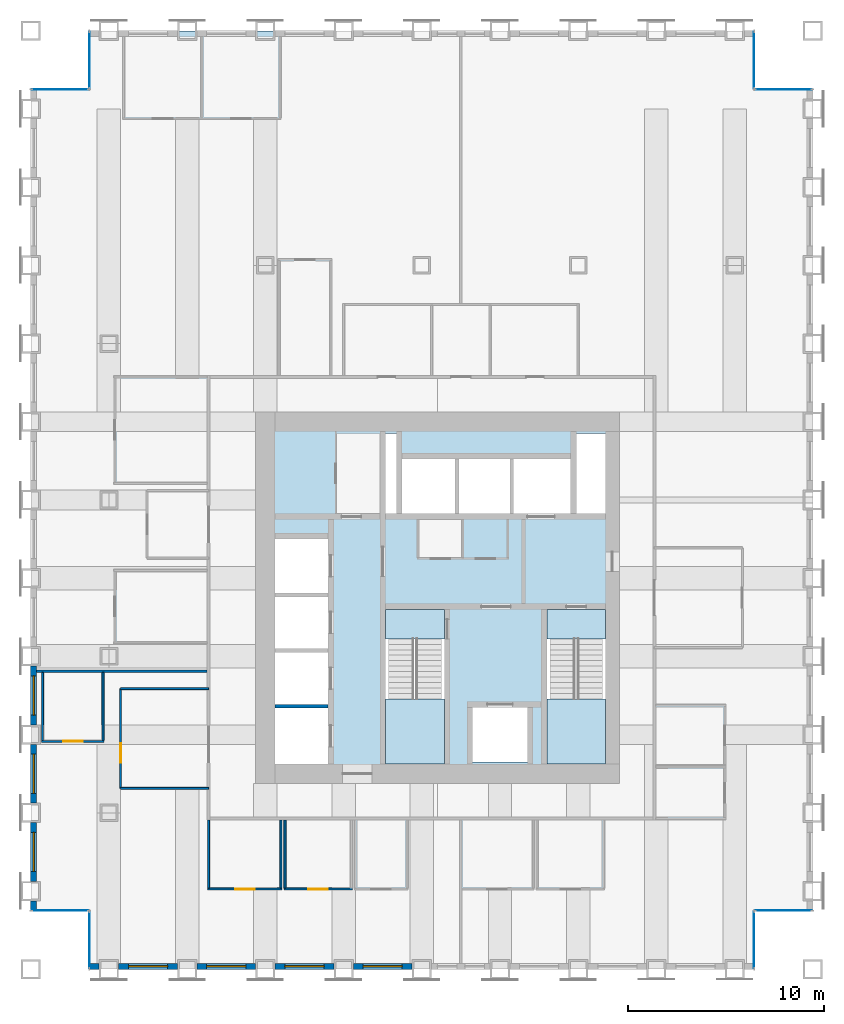
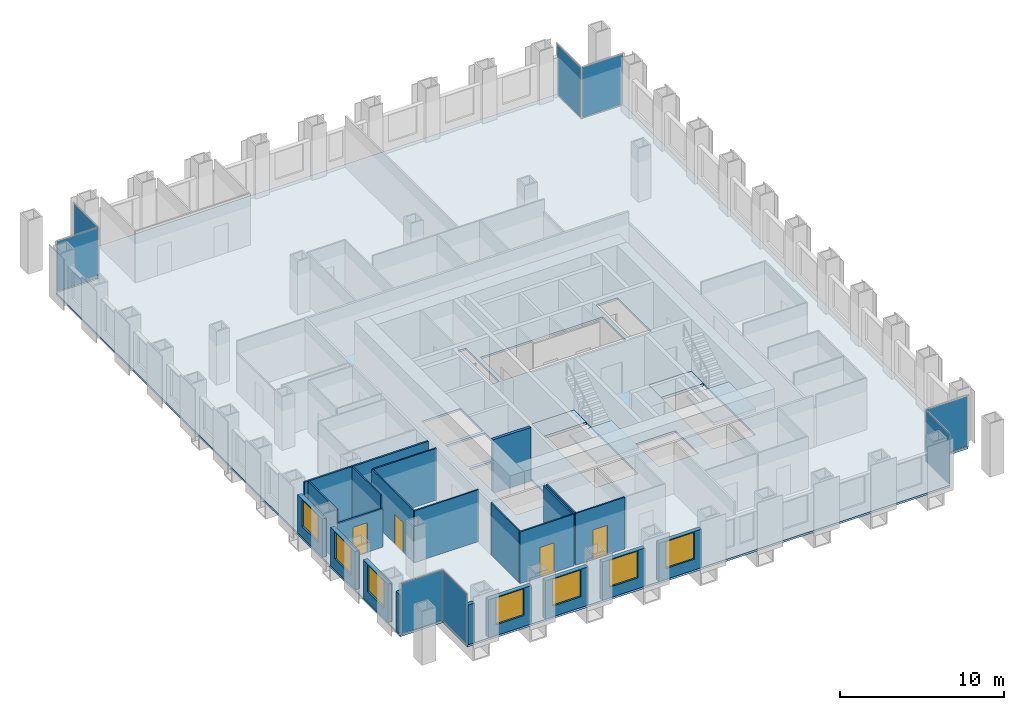
# One storey, part 7 of 13: 22 walls, 8 plates, 7 windows, 5 slabs, 4 doors, 11 openings, 10 elements without a shape of their own.
"""IFC4 building model written with IfcOpenShell, lengths in metres."""

from ifc_helpers import new_model, si_unit, direction, frame, frame_2d, origin, origin_2d, place, context, subcontext, project, spatial, polyline, rectangle, outline, extrude, material, layer, layer_set, type_object, element, fill, aggregate, save


model = new_model("IFC4")

# Units and contexts
model_context = context("Model", 3, precision=1e-05, world=origin(), true_north=direction((0.0, 1.0)))
body_context = subcontext(model_context, "Body", "Model", "MODEL_VIEW")
ifc_project = project(units=[si_unit("LENGTHUNIT", "METRE"), si_unit("AREAUNIT", "SQUARE_METRE"), si_unit("VOLUMEUNIT", "CUBIC_METRE"), si_unit("PLANEANGLEUNIT", "RADIAN"), si_unit("MASSUNIT", "GRAM", prefix="KILO")], contexts=[model_context])

# Site, building, storey
site_placement = place(None, origin())
site = spatial("IfcSite", under=ifc_project, at=site_placement, CompositionType="ELEMENT")
building_placement = place(site_placement, origin())
building = spatial("IfcBuilding", under=site, at=building_placement, Name="Rimbunsela Tower", CompositionType="ELEMENT")
storey_placement = place(building_placement, frame((0.0, 0.0, 175.800048828125)))
storey = spatial("IfcBuildingStorey", under=building, at=storey_placement, Name="L42", CompositionType="ELEMENT", Elevation=175.800048828125)

# Slab
ifc_material_1 = material(Name="Concrete fc' 35 MPa", Category="concrete")
ifc_layer_1 = layer(ifc_material_1, 0.14990234375)
ifc_layer_set_1 = layer_set([ifc_layer_1], Name="Floor slab 150")
slab_type_1 = type_object("IfcSlabType", Name="Floor slab 150", PredefinedType="FLOOR", material=ifc_layer_set_1)
slab_1_placement = place(storey_placement, frame((0.0, 0.0, -0.150146484375)))
element("IfcSlab", 1, at=slab_1_placement, inside=storey, type_object=slab_type_1, Name="Floor slab L42", PredefinedType="FLOOR", context=body_context, shape_type="SweptSolid", body=[
    extrude(outline(polyline([(9.0, 8.0), (43.0, 8.0), (43.0, 11.0), (46.0, 11.0), (46.0, 53.0), (43.0, 53.0), (43.0, 56.0), (9.0, 56.0), (9.0, 53.0), (6.0, 53.0), (6.0, 11.0), (9.0, 11.0), (9.0, 8.0)]), holes=[polyline([(21.199951171875, 21.35009765625), (18.5, 21.35009765625), (18.5, 18.5), (21.199951171875, 18.5), (21.199951171875, 21.35009765625)]), polyline([(21.199951171875, 21.550048828125), (21.199951171875, 24.199951171875), (18.5, 24.199951171875), (18.5, 21.550048828125), (21.199951171875, 21.550048828125)]), polyline([(21.199951171875, 27.050048828125), (18.5, 27.050048828125), (18.5, 24.39990234375), (21.199951171875, 24.39990234375), (21.199951171875, 27.050048828125)]), polyline([(21.199951171875, 27.25), (21.199951171875, 30.0), (18.5, 30.0), (18.5, 27.25), (21.199951171875, 27.25)]), polyline([(27.14990234375, 18.60009765625), (27.14990234375, 26.39990234375), (24.14990234375, 26.39990234375), (24.14990234375, 18.60009765625), (27.14990234375, 18.60009765625)]), polyline([(24.699951171875, 31.300048828125), (24.699951171875, 35.39990234375), (24.14990234375, 35.39990234375), (24.14990234375, 31.300048828125), (24.699951171875, 31.300048828125)]), polyline([(25.0, 34.10009765625), (25.0, 31.300048828125), (33.60009765625, 31.300048828125), (33.60009765625, 34.10009765625), (25.0, 34.10009765625)]), polyline([(31.39990234375, 21.39990234375), (28.60009765625, 21.39990234375), (28.60009765625, 18.60009765625), (31.39990234375, 18.60009765625), (31.39990234375, 21.39990234375)]), polyline([(35.39990234375, 18.60009765625), (35.39990234375, 26.39990234375), (32.39990234375, 26.39990234375), (32.39990234375, 18.60009765625), (35.39990234375, 18.60009765625)]), polyline([(35.39990234375, 31.300048828125), (35.39990234375, 35.39990234375), (33.89990234375, 35.39990234375), (33.89990234375, 31.300048828125), (35.39990234375, 31.300048828125)])]), origin(), (0.0, 0.0, 1.0), 0.150146484375),
])

# Curtain wall, plate
ifc_material_2 = material(Name="Aluminium curtain wall", Category="aluminium")
curtain_wall_type = type_object("IfcCurtainWallType", Name="Corner glazing", PredefinedType="USERDEFINED", material=ifc_material_2)
curtain_wall_1_placement = place(storey_placement, origin())
curtain_wall_1 = element("IfcCurtainWall", 2, at=curtain_wall_1_placement, inside=storey, type_object=curtain_wall_type, Name="Corner glazing L42", ObjectType="CORNER GLAZING", PredefinedType="USERDEFINED")
ifc_material_3 = material(Name="Clear double glazing", Category="glass")
ifc_layer_2 = layer(ifc_material_3, 0.028076171875)
ifc_layer_set_2 = layer_set([ifc_layer_2], Name="Glazed panel clear")
plate_type = type_object("IfcPlateType", Name="Glazed panel clear", PredefinedType="CURTAIN_PANEL", material=ifc_layer_set_2)
plate_1_placement = place(storey_placement, frame((43.0, 9.5, 0.06005859375), z_axis=(0.0, 0.0, 1.0), x_axis=(0.0, 1.0, 0.0)))
plate_1 = element("IfcPlate", 3, at=plate_1_placement, type_object=plate_type, Name="CW5 panel 1.1", PredefinedType="CURTAIN_PANEL", context=body_context, shape_type="SweptSolid", body=[
    extrude(rectangle(XDim=2.8798828125, YDim=0.028076171875, at=origin_2d()), origin(), (0.0, 0.0, 1.0), 3.72998046875),
])
aggregate(curtain_wall_1, [plate_1])

curtain_wall_2_placement = place(storey_placement, origin())
curtain_wall_2 = element("IfcCurtainWall", 4, at=curtain_wall_2_placement, inside=storey, type_object=curtain_wall_type, Name="Corner glazing L42", ObjectType="CORNER GLAZING", PredefinedType="USERDEFINED")
plate_2_placement = place(storey_placement, frame((44.5, 11.0, 0.06005859375), z_axis=(0.0, 0.0, 1.0), x_axis=(1.0, 0.0, 0.0)))
plate_2 = element("IfcPlate", 5, at=plate_2_placement, type_object=plate_type, Name="CW5 panel 1.1", PredefinedType="CURTAIN_PANEL", context=body_context, shape_type="SweptSolid", body=[
    extrude(rectangle(XDim=2.8798828125, YDim=0.028076171875, at=origin_2d()), origin(), (0.0, 0.0, 1.0), 3.72998046875),
])
aggregate(curtain_wall_2, [plate_2])

curtain_wall_3_placement = place(storey_placement, origin())
curtain_wall_3 = element("IfcCurtainWall", 6, at=curtain_wall_3_placement, inside=storey, type_object=curtain_wall_type, Name="Corner glazing L42", ObjectType="CORNER GLAZING", PredefinedType="USERDEFINED")
plate_3_placement = place(storey_placement, frame((44.5, 53.0, 0.06005859375), z_axis=(0.0, 0.0, 1.0), x_axis=(-1.0, 0.0, 0.0)))
plate_3 = element("IfcPlate", 7, at=plate_3_placement, type_object=plate_type, Name="CW5 panel 1.1", PredefinedType="CURTAIN_PANEL", context=body_context, shape_type="SweptSolid", body=[
    extrude(rectangle(XDim=2.8798828125, YDim=0.028076171875, at=origin_2d()), origin(), (0.0, 0.0, 1.0), 3.72998046875),
])
aggregate(curtain_wall_3, [plate_3])

curtain_wall_4_placement = place(storey_placement, origin())
curtain_wall_4 = element("IfcCurtainWall", 8, at=curtain_wall_4_placement, inside=storey, type_object=curtain_wall_type, Name="Corner glazing L42", ObjectType="CORNER GLAZING", PredefinedType="USERDEFINED")
plate_4_placement = place(storey_placement, frame((43.0, 54.5, 0.06005859375), z_axis=(0.0, 0.0, 1.0), x_axis=(0.0, 1.0, 0.0)))
plate_4 = element("IfcPlate", 9, at=plate_4_placement, type_object=plate_type, Name="CW5 panel 1.1", PredefinedType="CURTAIN_PANEL", context=body_context, shape_type="SweptSolid", body=[
    extrude(rectangle(XDim=2.8798828125, YDim=0.028076171875, at=origin_2d()), origin(), (0.0, 0.0, 1.0), 3.72998046875),
])
aggregate(curtain_wall_4, [plate_4])

curtain_wall_5_placement = place(storey_placement, origin())
curtain_wall_5 = element("IfcCurtainWall", 10, at=curtain_wall_5_placement, inside=storey, type_object=curtain_wall_type, Name="Corner glazing L42", ObjectType="CORNER GLAZING", PredefinedType="USERDEFINED")
plate_5_placement = place(storey_placement, frame((9.0, 54.5, 0.06005859375), z_axis=(0.0, 0.0, 1.0), x_axis=(0.0, -1.0, 0.0)))
plate_5 = element("IfcPlate", 11, at=plate_5_placement, type_object=plate_type, Name="CW5 panel 1.1", PredefinedType="CURTAIN_PANEL", context=body_context, shape_type="SweptSolid", body=[
    extrude(rectangle(XDim=2.8798828125, YDim=0.028076171875, at=origin_2d()), origin(), (0.0, 0.0, 1.0), 3.72998046875),
])
aggregate(curtain_wall_5, [plate_5])

curtain_wall_6_placement = place(storey_placement, origin())
curtain_wall_6 = element("IfcCurtainWall", 12, at=curtain_wall_6_placement, inside=storey, type_object=curtain_wall_type, Name="Corner glazing L42", ObjectType="CORNER GLAZING", PredefinedType="USERDEFINED")
plate_6_placement = place(storey_placement, frame((7.5, 53.0, 0.06005859375), z_axis=(0.0, 0.0, 1.0), x_axis=(-1.0, 0.0, 0.0)))
plate_6 = element("IfcPlate", 13, at=plate_6_placement, type_object=plate_type, Name="CW5 panel 1.1", PredefinedType="CURTAIN_PANEL", context=body_context, shape_type="SweptSolid", body=[
    extrude(rectangle(XDim=2.8798828125, YDim=0.028076171875, at=origin_2d()), origin(), (0.0, 0.0, 1.0), 3.72998046875),
])
aggregate(curtain_wall_6, [plate_6])

curtain_wall_7_placement = place(storey_placement, origin())
curtain_wall_7 = element("IfcCurtainWall", 14, at=curtain_wall_7_placement, inside=storey, type_object=curtain_wall_type, Name="Corner glazing L42", ObjectType="CORNER GLAZING", PredefinedType="USERDEFINED")
plate_7_placement = place(storey_placement, frame((7.5, 11.0, 0.06005859375), z_axis=(0.0, 0.0, 1.0), x_axis=(1.0, 0.0, 0.0)))
plate_7 = element("IfcPlate", 15, at=plate_7_placement, type_object=plate_type, Name="CW5 panel 1.1", PredefinedType="CURTAIN_PANEL", context=body_context, shape_type="SweptSolid", body=[
    extrude(rectangle(XDim=2.8798828125, YDim=0.028076171875, at=origin_2d()), origin(), (0.0, 0.0, 1.0), 3.72998046875),
])
aggregate(curtain_wall_7, [plate_7])

curtain_wall_8_placement = place(storey_placement, origin())
curtain_wall_8 = element("IfcCurtainWall", 16, at=curtain_wall_8_placement, inside=storey, type_object=curtain_wall_type, Name="Corner glazing L42", ObjectType="CORNER GLAZING", PredefinedType="USERDEFINED")
plate_8_placement = place(storey_placement, frame((9.0, 9.5, 0.06005859375), z_axis=(0.0, 0.0, 1.0), x_axis=(0.0, -1.0, 0.0)))
plate_8 = element("IfcPlate", 17, at=plate_8_placement, type_object=plate_type, Name="CW5 panel 1.1", PredefinedType="CURTAIN_PANEL", context=body_context, shape_type="SweptSolid", body=[
    extrude(rectangle(XDim=2.8798828125, YDim=0.028076171875, at=origin_2d()), origin(), (0.0, 0.0, 1.0), 3.72998046875),
])
aggregate(curtain_wall_8, [plate_8])

# Stair, slabs
ifc_material_4 = material(Name="Concrete fc' 35 MPa", Category="concrete")
stair_type = type_object("IfcStairType", Name="Exit stair 24 risers", PredefinedType="HALF_TURN_STAIR", material=ifc_material_4)
stair_1_placement = place(storey_placement, origin())
stair_1 = element("IfcStair", 18, at=stair_1_placement, inside=storey, type_object=stair_type, Name="Exit stair A L42", PredefinedType="HALF_TURN_STAIR")
ifc_material_5 = material(Name="Concrete fc' 35 MPa", Category="concrete")
ifc_layer_3 = layer(ifc_material_5, 0.199951171875)
ifc_layer_set_3 = layer_set([ifc_layer_3], Name="Stair landing 200")
slab_type_2 = type_object("IfcSlabType", Name="Stair landing 200", PredefinedType="LANDING", material=ifc_layer_set_3)
slab_2_placement = place(storey_placement, frame((0.0, 0.0, -0.199951171875)))
slab_2 = element("IfcSlab", 19, at=slab_2_placement, type_object=slab_type_2, Name="ST-A landing 1", PredefinedType="LANDING", context=body_context, shape_type="SweptSolid", body=[
    extrude(outline(polyline([(24.14990234375, 24.89990234375), (27.14990234375, 24.89990234375), (27.14990234375, 26.39990234375), (24.14990234375, 26.39990234375), (24.14990234375, 24.89990234375)])), origin(), (0.0, 0.0, 1.0), 0.199951171875),
])
slab_3_placement = place(storey_placement, frame((0.0, 0.0, 1.800048828125)))
slab_3 = element("IfcSlab", 20, at=slab_3_placement, type_object=slab_type_2, Name="ST-A landing 2", PredefinedType="LANDING", context=body_context, shape_type="SweptSolid", body=[
    extrude(outline(polyline([(24.14990234375, 18.5), (27.14990234375, 18.5), (27.14990234375, 21.820068359375), (24.14990234375, 21.820068359375), (24.14990234375, 18.5)])), origin(), (0.0, 0.0, 1.0), 0.199951171875),
])
aggregate(stair_1, [slab_2, slab_3])

stair_2_placement = place(storey_placement, origin())
stair_2 = element("IfcStair", 21, at=stair_2_placement, inside=storey, type_object=stair_type, Name="Exit stair B L42", PredefinedType="HALF_TURN_STAIR")
slab_4_placement = place(storey_placement, frame((0.0, 0.0, -0.199951171875)))
slab_4 = element("IfcSlab", 22, at=slab_4_placement, type_object=slab_type_2, Name="ST-B landing 1", PredefinedType="LANDING", context=body_context, shape_type="SweptSolid", body=[
    extrude(outline(polyline([(32.39990234375, 24.89990234375), (35.39990234375, 24.89990234375), (35.39990234375, 26.39990234375), (32.39990234375, 26.39990234375), (32.39990234375, 24.89990234375)])), origin(), (0.0, 0.0, 1.0), 0.199951171875),
])
slab_5_placement = place(storey_placement, frame((0.0, 0.0, 1.800048828125)))
slab_5 = element("IfcSlab", 23, at=slab_5_placement, type_object=slab_type_2, Name="ST-B landing 2", PredefinedType="LANDING", context=body_context, shape_type="SweptSolid", body=[
    extrude(outline(polyline([(32.39990234375, 18.5), (35.39990234375, 18.5), (35.39990234375, 21.820068359375), (32.39990234375, 21.820068359375), (32.39990234375, 18.5)])), origin(), (0.0, 0.0, 1.0), 0.199951171875),
])
aggregate(stair_2, [slab_4, slab_5])

# Wall
ifc_material_6 = material(Name="Concrete blockwork", Category="masonry")
ifc_layer_4 = layer(ifc_material_6, 0.199951171875)
ifc_layer_set_4 = layer_set([ifc_layer_4], Name="Lift shaft wall 200")
wall_type_1 = type_object("IfcWallType", Name="Lift shaft wall 200", PredefinedType="SOLIDWALL", material=ifc_layer_set_4)
wall_1_placement = place(storey_placement, frame((18.5, 21.449951171875, -0.150146484375), z_axis=(0.0, 0.0, 1.0), x_axis=(1.0, 0.0, 0.0)))
element("IfcWall", 24, at=wall_1_placement, inside=storey, type_object=wall_type_1, Name="Lift shaft separation", PredefinedType="SOLIDWALL", context=body_context, shape_type="SweptSolid", body=[
    extrude(rectangle(XDim=2.699951171875, YDim=0.199951171875, at=frame_2d((1.35009765625, 0.0))), origin(), (0.0, 0.0, 1.0), 4.0),
])

# Wall, opening, door
ifc_material_7 = material(Name="Gypsum board on steel studs", Category="steel")
ifc_layer_5 = layer(ifc_material_7, 0.10009765625)
ifc_layer_set_5 = layer_set([ifc_layer_5], Name="Office partition 100")
wall_type_2 = type_object("IfcWallType", Name="Office partition 100", PredefinedType="PARTITIONING", material=ifc_layer_set_5)
wall_2_placement = place(storey_placement, frame((15.050048828125, 12.10009765625, 0.0), z_axis=(0.0, 0.0, 1.0), x_axis=(1.0, 0.0, 0.0)))
wall_2 = element("IfcWall", 25, at=wall_2_placement, inside=storey, type_object=wall_type_2, Name="Office partition", PredefinedType="PARTITIONING", context=body_context, shape_type="SweptSolid", body=[
    extrude(rectangle(XDim=3.800048828125, YDim=0.10009765625, at=frame_2d((1.89990234375, 0.0))), origin(), (0.0, 0.0, 1.0), 3.849853515625),
])
opening_1_placement = place(wall_2_placement, frame((1.39990234375, 0.0, 0.0)))
opening_1 = element("IfcOpeningElement", 26, at=opening_1_placement, cuts=wall_2, Name="Opening D17", PredefinedType="OPENING", context=body_context, shape_type="SweptSolid", body=[
    extrude(rectangle(XDim=1.0, YDim=2.199951171875, at=frame_2d((0.5, 1.10009765625))), frame((0.0, 0.06005859375, 0.0), z_axis=(0.0, -1.0, 0.0), x_axis=(1.0, 0.0, 0.0)), (0.0, 0.0, 1.0), 0.1201171875),
])
ifc_material_8 = material(Name="Glazed aluminium door", Category="aluminium")
door_type_1 = type_object("IfcDoorType", Name="Meeting room door 1000 glazed", OperationType="SINGLE_SWING_RIGHT", PredefinedType="DOOR", material=ifc_material_8)
door_1_placement = place(opening_1_placement, origin())
door_1 = element("IfcDoor", 27, at=door_1_placement, inside=storey, type_object=door_type_1, Name="Meeting room door", OperationType="SINGLE_SWING_RIGHT", OverallHeight=2.199951171875, OverallWidth=1.0, PredefinedType="DOOR", context=body_context, shape_type="SweptSolid", body=[
    extrude(rectangle(XDim=1.0, YDim=2.199951171875, at=frame_2d((0.5, 1.10009765625))), frame((0.0, 0.02490234375, 0.0), z_axis=(0.0, -1.0, 0.0), x_axis=(1.0, 0.0, 0.0)), (0.0, 0.0, 1.0), 0.050048828125),
])
fill(opening_1, door_1)

wall_3_placement = place(storey_placement, frame((18.949951171875, 12.10009765625, 0.0), z_axis=(0.0, 0.0, 1.0), x_axis=(1.0, 0.0, 0.0)))
wall_3 = element("IfcWall", 28, at=wall_3_placement, inside=storey, type_object=wall_type_2, Name="Office partition", PredefinedType="PARTITIONING", context=body_context, shape_type="SweptSolid", body=[
    extrude(rectangle(XDim=3.5, YDim=0.10009765625, at=frame_2d((1.75, 0.0))), origin(), (0.0, 0.0, 1.0), 3.849853515625),
])
opening_2_placement = place(wall_3_placement, frame((1.25, 0.0, 0.0)))
opening_2 = element("IfcOpeningElement", 29, at=opening_2_placement, cuts=wall_3, Name="Opening D16", PredefinedType="OPENING", context=body_context, shape_type="SweptSolid", body=[
    extrude(rectangle(XDim=1.0, YDim=2.199951171875, at=frame_2d((0.5, 1.10009765625))), frame((0.0, 0.06005859375, 0.0), z_axis=(0.0, -1.0, 0.0), x_axis=(1.0, 0.0, 0.0)), (0.0, 0.0, 1.0), 0.1201171875),
])
ifc_material_9 = material(Name="Timber door", Category="wood")
door_type_2 = type_object("IfcDoorType", Name="Office door 1000", OperationType="SINGLE_SWING_LEFT", PredefinedType="DOOR", material=ifc_material_9)
door_2_placement = place(opening_2_placement, origin())
door_2 = element("IfcDoor", 30, at=door_2_placement, inside=storey, type_object=door_type_2, Name="Office door", OperationType="SINGLE_SWING_LEFT", OverallHeight=2.199951171875, OverallWidth=1.0, PredefinedType="DOOR", context=body_context, shape_type="SweptSolid", body=[
    extrude(rectangle(XDim=1.0, YDim=2.199951171875, at=frame_2d((0.5, 1.10009765625))), frame((0.0, 0.02490234375, 0.0), z_axis=(0.0, -1.0, 0.0), x_axis=(1.0, 0.0, 0.0)), (0.0, 0.0, 1.0), 0.050048828125),
])
fill(opening_2, door_2)

wall_4_placement = place(storey_placement, frame((6.550048828125, 19.64990234375, 0.0), z_axis=(0.0, 0.0, 1.0), x_axis=(1.0, 0.0, 0.0)))
wall_4 = element("IfcWall", 31, at=wall_4_placement, inside=storey, type_object=wall_type_2, Name="Office partition", PredefinedType="PARTITIONING", context=body_context, shape_type="SweptSolid", body=[
    extrude(rectangle(XDim=3.199951171875, YDim=0.10009765625, at=frame_2d((1.60009765625, 0.0))), origin(), (0.0, 0.0, 1.0), 2.849853515625),
])
opening_3_placement = place(wall_4_placement, frame((1.10009765625, 0.0, 0.0)))
opening_3 = element("IfcOpeningElement", 32, at=opening_3_placement, cuts=wall_4, Name="Opening D16", PredefinedType="OPENING", context=body_context, shape_type="SweptSolid", body=[
    extrude(rectangle(XDim=1.0, YDim=2.199951171875, at=frame_2d((0.5, 1.10009765625))), frame((0.0, 0.06005859375, 0.0), z_axis=(0.0, -1.0, 0.0), x_axis=(1.0, 0.0, 0.0)), (0.0, 0.0, 1.0), 0.1201171875),
])
door_3_placement = place(opening_3_placement, origin())
door_3 = element("IfcDoor", 33, at=door_3_placement, inside=storey, type_object=door_type_2, Name="Office door", OperationType="SINGLE_SWING_LEFT", OverallHeight=2.199951171875, OverallWidth=1.0, PredefinedType="DOOR", context=body_context, shape_type="SweptSolid", body=[
    extrude(rectangle(XDim=1.0, YDim=2.199951171875, at=frame_2d((0.5, 1.10009765625))), frame((0.0, 0.02490234375, 0.0), z_axis=(0.0, -1.0, 0.0), x_axis=(1.0, 0.0, 0.0)), (0.0, 0.0, 1.0), 0.050048828125),
])
fill(opening_3, door_3)

# Walls
for number, where, z_axis, x_axis, name in (
    (34, (6.60009765625, 19.699951171875, 0.0), (0.0, 0.0, 1.0), (0.0, 1.0, 0.0), "Office partition"),
    (35, (9.699951171875, 19.699951171875, 0.0), (0.0, 0.0, 1.0), (0.0, 1.0, 0.0), "Office partition"),
):
    element("IfcWall", number, at=place(storey_placement, frame(where, z_axis=z_axis, x_axis=x_axis)), inside=storey, type_object=wall_type_2, Name=name, PredefinedType="PARTITIONING", context=body_context, shape_type="SweptSolid", body=[
        extrude(rectangle(XDim=3.489990234375, YDim=0.10009765625, at=frame_2d((1.7451171875, 0.0))), origin(), (0.0, 0.0, 1.0), 3.849853515625),
    ])
for number, where, z_axis, x_axis, name in (
    (36, (15.10009765625, 12.14990234375, 0.0), (0.0, 0.0, 1.0), (0.0, 1.0, 0.0), "Office partition"),
    (37, (18.800048828125, 12.14990234375, 0.0), (0.0, 0.0, 1.0), (0.0, 1.0, 0.0), "Office partition"),
    (38, (19.0, 12.14990234375, 0.0), (0.0, 0.0, 1.0), (0.0, 1.0, 0.0), "Office partition"),
):
    element("IfcWall", number, at=place(storey_placement, frame(where, z_axis=z_axis, x_axis=x_axis)), inside=storey, type_object=wall_type_2, Name=name, PredefinedType="PARTITIONING", context=body_context, shape_type="SweptSolid", body=[
        extrude(rectangle(XDim=3.47509765625, YDim=0.10009765625, at=frame_2d((1.737548828125, 0.0))), origin(), (0.0, 0.0, 1.0), 3.849853515625),
    ])
wall_5_placement = place(storey_placement, frame((15.10009765625, 22.34912109375, 0.0), z_axis=(0.0, 0.0, 1.0), x_axis=(-1.0, 0.0, 0.0)))
element("IfcWall", 39, at=wall_5_placement, inside=storey, type_object=wall_type_2, Name="Office partition", PredefinedType="PARTITIONING", context=body_context, shape_type="SweptSolid", body=[
    extrude(rectangle(XDim=4.5, YDim=0.10009765625, at=frame_2d((2.25, 0.0))), origin(), (0.0, 0.0, 1.0), 3.849853515625),
])

# Wall, opening, door
wall_6_placement = place(storey_placement, frame((10.60009765625, 22.34912109375, 0.0), z_axis=(0.0, 0.0, 1.0), x_axis=(0.0, -1.0, 0.0)))
wall_6 = element("IfcWall", 40, at=wall_6_placement, inside=storey, type_object=wall_type_2, Name="Office partition", PredefinedType="PARTITIONING", context=body_context, shape_type="SweptSolid", body=[
    extrude(rectangle(XDim=5.10009765625, YDim=0.10009765625, at=frame_2d((2.550048828125, 0.0))), origin(), (0.0, 0.0, 1.0), 3.849853515625),
])
opening_4_placement = place(wall_6_placement, frame((2.800048828125, 0.0, 0.0)))
opening_4 = element("IfcOpeningElement", 41, at=opening_4_placement, cuts=wall_6, Name="Opening D17", PredefinedType="OPENING", context=body_context, shape_type="SweptSolid", body=[
    extrude(rectangle(XDim=1.0, YDim=2.199951171875, at=frame_2d((0.5, 1.10009765625))), frame((0.0, 0.06005859375, 0.0), z_axis=(0.0, -1.0, 0.0), x_axis=(1.0, 0.0, 0.0)), (0.0, 0.0, 1.0), 0.1201171875),
])
door_4_placement = place(opening_4_placement, origin())
door_4 = element("IfcDoor", 42, at=door_4_placement, inside=storey, type_object=door_type_1, Name="Reception door", OperationType="SINGLE_SWING_RIGHT", OverallHeight=2.199951171875, OverallWidth=1.0, PredefinedType="DOOR", context=body_context, shape_type="SweptSolid", body=[
    extrude(rectangle(XDim=1.0, YDim=2.199951171875, at=frame_2d((0.5, 1.10009765625))), frame((0.0, 0.02490234375, 0.0), z_axis=(0.0, -1.0, 0.0), x_axis=(1.0, 0.0, 0.0)), (0.0, 0.0, 1.0), 0.050048828125),
])
fill(opening_4, door_4)

# Walls
wall_7_placement = place(storey_placement, frame((10.60009765625, 17.2490234375, 0.0), z_axis=(0.0, 0.0, 1.0), x_axis=(1.0, 0.0, 0.0)))
element("IfcWall", 43, at=wall_7_placement, inside=storey, type_object=wall_type_2, Name="Office partition", PredefinedType="PARTITIONING", context=body_context, shape_type="SweptSolid", body=[
    extrude(rectangle(XDim=4.5, YDim=0.10009765625, at=frame_2d((2.25, 0.0))), origin(), (0.0, 0.0, 1.0), 3.849853515625),
])
ifc_material_10 = material(Name="Precast concrete fc' 35 MPa", Category="concrete")
ifc_layer_6 = layer(ifc_material_10, 0.300048828125)
ifc_layer_set_6 = layer_set([ifc_layer_6], Name="Precast concrete fc' 35 MPa")
wall_type_3 = type_object("IfcWallType", Name="Precast facade panel 300", PredefinedType="ELEMENTEDWALL", material=ifc_layer_set_6)
wall_8_placement = place(storey_placement, frame((9.030029296875, 8.14990234375, 0.0), z_axis=(0.0, 0.0, 1.0), x_axis=(1.0, 0.0, 0.0)))
element("IfcWall", 44, at=wall_8_placement, inside=storey, type_object=wall_type_3, Name="Facade panel S L42", PredefinedType="ELEMENTEDWALL", context=body_context, shape_type="SweptSolid", body=[
    extrude(rectangle(XDim=0.469970703125, YDim=0.300048828125, at=frame_2d((0.23486328125, 0.0))), origin(), (0.0, 0.0, 1.0), 2.949951171875),
])

# Wall, opening, window
wall_9_placement = place(storey_placement, frame((10.5, 8.14990234375, 0.0), z_axis=(0.0, 0.0, 1.0), x_axis=(1.0, 0.0, 0.0)))
wall_9 = element("IfcWall", 45, at=wall_9_placement, inside=storey, type_object=wall_type_3, Name="Facade panel S L42", PredefinedType="ELEMENTEDWALL", context=body_context, shape_type="SweptSolid", body=[
    extrude(rectangle(XDim=3.0, YDim=0.300048828125, at=frame_2d((1.5, 0.0))), origin(), (0.0, 0.0, 1.0), 2.849853515625),
])
opening_5_placement = place(wall_9_placement, frame((0.5, 0.0, 0.800048828125)))
opening_5 = element("IfcOpeningElement", 46, at=opening_5_placement, cuts=wall_9, Name="Opening W1", PredefinedType="OPENING", context=body_context, shape_type="SweptSolid", body=[
    extrude(rectangle(XDim=2.0, YDim=2.0, at=frame_2d((1.0, 1.0))), frame((0.0, 0.159912109375, 0.0), z_axis=(0.0, -1.0, 0.0), x_axis=(1.0, 0.0, 0.0)), (0.0, 0.0, 1.0), 0.320068359375),
])
ifc_material_11 = material(Name="Clear glass in aluminium frame", Category="aluminium")
window_type = type_object("IfcWindowType", Name="Window W1 2000x2000", PartitioningType="DOUBLE_PANEL_VERTICAL", PredefinedType="WINDOW", material=ifc_material_11)
window_1_placement = place(opening_5_placement, origin())
window_1 = element("IfcWindow", 47, at=window_1_placement, inside=storey, type_object=window_type, Name="Window L42", OverallHeight=2.0, OverallWidth=2.0, PartitioningType="SINGLE_PANEL", PredefinedType="WINDOW", context=body_context, shape_type="SweptSolid", body=[
    extrude(rectangle(XDim=2.0, YDim=2.0, at=frame_2d((1.0, 1.0))), frame((0.0, 0.030029296875, 0.0), z_axis=(0.0, -1.0, 0.0), x_axis=(1.0, 0.0, 0.0)), (0.0, 0.0, 1.0), 0.06005859375),
])
fill(opening_5, window_1)

wall_10_placement = place(storey_placement, frame((14.5, 8.14990234375, 0.0), z_axis=(0.0, 0.0, 1.0), x_axis=(1.0, 0.0, 0.0)))
wall_10 = element("IfcWall", 48, at=wall_10_placement, inside=storey, type_object=wall_type_3, Name="Facade panel S L42", PredefinedType="ELEMENTEDWALL", context=body_context, shape_type="SweptSolid", body=[
    extrude(rectangle(XDim=3.0, YDim=0.300048828125, at=frame_2d((1.5, 0.0))), origin(), (0.0, 0.0, 1.0), 2.849853515625),
])
opening_6_placement = place(wall_10_placement, frame((0.5, 0.0, 0.800048828125)))
opening_6 = element("IfcOpeningElement", 49, at=opening_6_placement, cuts=wall_10, Name="Opening W1", PredefinedType="OPENING", context=body_context, shape_type="SweptSolid", body=[
    extrude(rectangle(XDim=2.0, YDim=2.0, at=frame_2d((1.0, 1.0))), frame((0.0, 0.159912109375, 0.0), z_axis=(0.0, -1.0, 0.0), x_axis=(1.0, 0.0, 0.0)), (0.0, 0.0, 1.0), 0.320068359375),
])
window_2_placement = place(opening_6_placement, origin())
window_2 = element("IfcWindow", 50, at=window_2_placement, inside=storey, type_object=window_type, Name="Window L42", OverallHeight=2.0, OverallWidth=2.0, PartitioningType="SINGLE_PANEL", PredefinedType="WINDOW", context=body_context, shape_type="SweptSolid", body=[
    extrude(rectangle(XDim=2.0, YDim=2.0, at=frame_2d((1.0, 1.0))), frame((0.0, 0.030029296875, 0.0), z_axis=(0.0, -1.0, 0.0), x_axis=(1.0, 0.0, 0.0)), (0.0, 0.0, 1.0), 0.06005859375),
])
fill(opening_6, window_2)

wall_11_placement = place(storey_placement, frame((18.5, 8.14990234375, 0.0), z_axis=(0.0, 0.0, 1.0), x_axis=(1.0, 0.0, 0.0)))
wall_11 = element("IfcWall", 51, at=wall_11_placement, inside=storey, type_object=wall_type_3, Name="Facade panel S L42", PredefinedType="ELEMENTEDWALL", context=body_context, shape_type="SweptSolid", body=[
    extrude(rectangle(XDim=3.0, YDim=0.300048828125, at=frame_2d((1.5, 0.0))), origin(), (0.0, 0.0, 1.0), 2.849853515625),
])
opening_7_placement = place(wall_11_placement, frame((0.5, 0.0, 0.800048828125)))
opening_7 = element("IfcOpeningElement", 52, at=opening_7_placement, cuts=wall_11, Name="Opening W1", PredefinedType="OPENING", context=body_context, shape_type="SweptSolid", body=[
    extrude(rectangle(XDim=2.0, YDim=2.0, at=frame_2d((1.0, 1.0))), frame((0.0, 0.159912109375, 0.0), z_axis=(0.0, -1.0, 0.0), x_axis=(1.0, 0.0, 0.0)), (0.0, 0.0, 1.0), 0.320068359375),
])
window_3_placement = place(opening_7_placement, origin())
window_3 = element("IfcWindow", 53, at=window_3_placement, inside=storey, type_object=window_type, Name="Window L42", OverallHeight=2.0, OverallWidth=2.0, PartitioningType="SINGLE_PANEL", PredefinedType="WINDOW", context=body_context, shape_type="SweptSolid", body=[
    extrude(rectangle(XDim=2.0, YDim=2.0, at=frame_2d((1.0, 1.0))), frame((0.0, 0.030029296875, 0.0), z_axis=(0.0, -1.0, 0.0), x_axis=(1.0, 0.0, 0.0)), (0.0, 0.0, 1.0), 0.06005859375),
])
fill(opening_7, window_3)

wall_12_placement = place(storey_placement, frame((22.5, 8.14990234375, 0.0), z_axis=(0.0, 0.0, 1.0), x_axis=(1.0, 0.0, 0.0)))
wall_12 = element("IfcWall", 54, at=wall_12_placement, inside=storey, type_object=wall_type_3, Name="Facade panel S L42", PredefinedType="ELEMENTEDWALL", context=body_context, shape_type="SweptSolid", body=[
    extrude(rectangle(XDim=3.0, YDim=0.300048828125, at=frame_2d((1.5, 0.0))), origin(), (0.0, 0.0, 1.0), 2.849853515625),
])
opening_8_placement = place(wall_12_placement, frame((0.5, 0.0, 0.800048828125)))
opening_8 = element("IfcOpeningElement", 55, at=opening_8_placement, cuts=wall_12, Name="Opening W1", PredefinedType="OPENING", context=body_context, shape_type="SweptSolid", body=[
    extrude(rectangle(XDim=2.0, YDim=2.0, at=frame_2d((1.0, 1.0))), frame((0.0, 0.159912109375, 0.0), z_axis=(0.0, -1.0, 0.0), x_axis=(1.0, 0.0, 0.0)), (0.0, 0.0, 1.0), 0.320068359375),
])
window_4_placement = place(opening_8_placement, origin())
window_4 = element("IfcWindow", 56, at=window_4_placement, inside=storey, type_object=window_type, Name="Window L42", OverallHeight=2.0, OverallWidth=2.0, PartitioningType="SINGLE_PANEL", PredefinedType="WINDOW", context=body_context, shape_type="SweptSolid", body=[
    extrude(rectangle(XDim=2.0, YDim=2.0, at=frame_2d((1.0, 1.0))), frame((0.0, 0.030029296875, 0.0), z_axis=(0.0, -1.0, 0.0), x_axis=(1.0, 0.0, 0.0)), (0.0, 0.0, 1.0), 0.06005859375),
])
fill(opening_8, window_4)

# Wall
wall_13_placement = place(storey_placement, frame((6.14990234375, 11.5, 0.0), z_axis=(0.0, 0.0, 1.0), x_axis=(0.0, -1.0, 0.0)))
element("IfcWall", 57, at=wall_13_placement, inside=storey, type_object=wall_type_3, Name="Facade panel W L42", PredefinedType="ELEMENTEDWALL", context=body_context, shape_type="SweptSolid", body=[
    extrude(rectangle(XDim=0.469970703125, YDim=0.300048828125, at=frame_2d((0.23486328125, 0.0))), origin(), (0.0, 0.0, 1.0), 2.949951171875),
])

# Wall, opening, window
wall_14_placement = place(storey_placement, frame((6.14990234375, 15.5, 0.0), z_axis=(0.0, 0.0, 1.0), x_axis=(0.0, -1.0, 0.0)))
wall_14 = element("IfcWall", 58, at=wall_14_placement, inside=storey, type_object=wall_type_3, Name="Facade panel W L42", PredefinedType="ELEMENTEDWALL", context=body_context, shape_type="SweptSolid", body=[
    extrude(rectangle(XDim=3.0, YDim=0.300048828125, at=frame_2d((1.5, 0.0))), origin(), (0.0, 0.0, 1.0), 2.849853515625),
])
opening_9_placement = place(wall_14_placement, frame((0.5, 0.0, 0.800048828125)))
opening_9 = element("IfcOpeningElement", 59, at=opening_9_placement, cuts=wall_14, Name="Opening W1", PredefinedType="OPENING", context=body_context, shape_type="SweptSolid", body=[
    extrude(rectangle(XDim=2.0, YDim=2.0, at=frame_2d((1.0, 1.0))), frame((0.0, 0.159912109375, 0.0), z_axis=(0.0, -1.0, 0.0), x_axis=(1.0, 0.0, 0.0)), (0.0, 0.0, 1.0), 0.320068359375),
])
window_5_placement = place(opening_9_placement, origin())
window_5 = element("IfcWindow", 60, at=window_5_placement, inside=storey, type_object=window_type, Name="Window L42", OverallHeight=2.0, OverallWidth=2.0, PartitioningType="SINGLE_PANEL", PredefinedType="WINDOW", context=body_context, shape_type="SweptSolid", body=[
    extrude(rectangle(XDim=2.0, YDim=2.0, at=frame_2d((1.0, 1.0))), frame((0.0, 0.030029296875, 0.0), z_axis=(0.0, -1.0, 0.0), x_axis=(1.0, 0.0, 0.0)), (0.0, 0.0, 1.0), 0.06005859375),
])
fill(opening_9, window_5)

wall_15_placement = place(storey_placement, frame((6.14990234375, 19.5, 0.0), z_axis=(0.0, 0.0, 1.0), x_axis=(0.0, -1.0, 0.0)))
wall_15 = element("IfcWall", 61, at=wall_15_placement, inside=storey, type_object=wall_type_3, Name="Facade panel W L42", PredefinedType="ELEMENTEDWALL", context=body_context, shape_type="SweptSolid", body=[
    extrude(rectangle(XDim=3.0, YDim=0.300048828125, at=frame_2d((1.5, 0.0))), origin(), (0.0, 0.0, 1.0), 2.849853515625),
])
opening_10_placement = place(wall_15_placement, frame((0.5, 0.0, 0.800048828125)))
opening_10 = element("IfcOpeningElement", 62, at=opening_10_placement, cuts=wall_15, Name="Opening W1", PredefinedType="OPENING", context=body_context, shape_type="SweptSolid", body=[
    extrude(rectangle(XDim=2.0, YDim=2.0, at=frame_2d((1.0, 1.0))), frame((0.0, 0.159912109375, 0.0), z_axis=(0.0, -1.0, 0.0), x_axis=(1.0, 0.0, 0.0)), (0.0, 0.0, 1.0), 0.320068359375),
])
window_6_placement = place(opening_10_placement, origin())
window_6 = element("IfcWindow", 63, at=window_6_placement, inside=storey, type_object=window_type, Name="Window L42", OverallHeight=2.0, OverallWidth=2.0, PartitioningType="SINGLE_PANEL", PredefinedType="WINDOW", context=body_context, shape_type="SweptSolid", body=[
    extrude(rectangle(XDim=2.0, YDim=2.0, at=frame_2d((1.0, 1.0))), frame((0.0, 0.030029296875, 0.0), z_axis=(0.0, -1.0, 0.0), x_axis=(1.0, 0.0, 0.0)), (0.0, 0.0, 1.0), 0.06005859375),
])
fill(opening_10, window_6)

wall_16_placement = place(storey_placement, frame((6.14990234375, 23.5, 0.0), z_axis=(0.0, 0.0, 1.0), x_axis=(0.0, -1.0, 0.0)))
wall_16 = element("IfcWall", 64, at=wall_16_placement, inside=storey, type_object=wall_type_3, Name="Facade panel W L42", PredefinedType="ELEMENTEDWALL", context=body_context, shape_type="SweptSolid", body=[
    extrude(rectangle(XDim=3.0, YDim=0.300048828125, at=frame_2d((1.5, 0.0))), origin(), (0.0, 0.0, 1.0), 2.849853515625),
])
opening_11_placement = place(wall_16_placement, frame((0.5, 0.0, 0.800048828125)))
opening_11 = element("IfcOpeningElement", 65, at=opening_11_placement, cuts=wall_16, Name="Opening W1", PredefinedType="OPENING", context=body_context, shape_type="SweptSolid", body=[
    extrude(rectangle(XDim=2.0, YDim=2.0, at=frame_2d((1.0, 1.0))), frame((0.0, 0.159912109375, 0.0), z_axis=(0.0, -1.0, 0.0), x_axis=(1.0, 0.0, 0.0)), (0.0, 0.0, 1.0), 0.320068359375),
])
window_7_placement = place(opening_11_placement, origin())
window_7 = element("IfcWindow", 66, at=window_7_placement, inside=storey, type_object=window_type, Name="Window L42", OverallHeight=2.0, OverallWidth=2.0, PartitioningType="SINGLE_PANEL", PredefinedType="WINDOW", context=body_context, shape_type="SweptSolid", body=[
    extrude(rectangle(XDim=2.0, YDim=2.0, at=frame_2d((1.0, 1.0))), frame((0.0, 0.030029296875, 0.0), z_axis=(0.0, -1.0, 0.0), x_axis=(1.0, 0.0, 0.0)), (0.0, 0.0, 1.0), 0.06005859375),
])
fill(opening_11, window_7)

# Wall
ifc_material_12 = material(Name="Gypsum board on steel studs", Category="steel")
ifc_layer_7 = layer(ifc_material_12, 0.1201171875)
ifc_layer_set_7 = layer_set([ifc_layer_7], Name="Tenancy partition 120")
wall_type_4 = type_object("IfcWallType", Name="Tenancy partition 120", PredefinedType="PARTITIONING", material=ifc_layer_set_7)
wall_17_placement = place(storey_placement, frame((6.300048828125, 23.25, 0.0), z_axis=(0.0, 0.0, 1.0), x_axis=(1.0, 0.0, 0.0)))
element("IfcWall", 67, at=wall_17_placement, inside=storey, type_object=wall_type_4, Name="Tenancy partition", PredefinedType="PARTITIONING", context=body_context, shape_type="SweptSolid", body=[
    extrude(rectangle(XDim=8.724853515625, YDim=0.1201171875, at=frame_2d((4.3623046875, 0.0))), origin(), (0.0, 0.0, 1.0), 3.849853515625),
])

save(model, "model.ifc")
